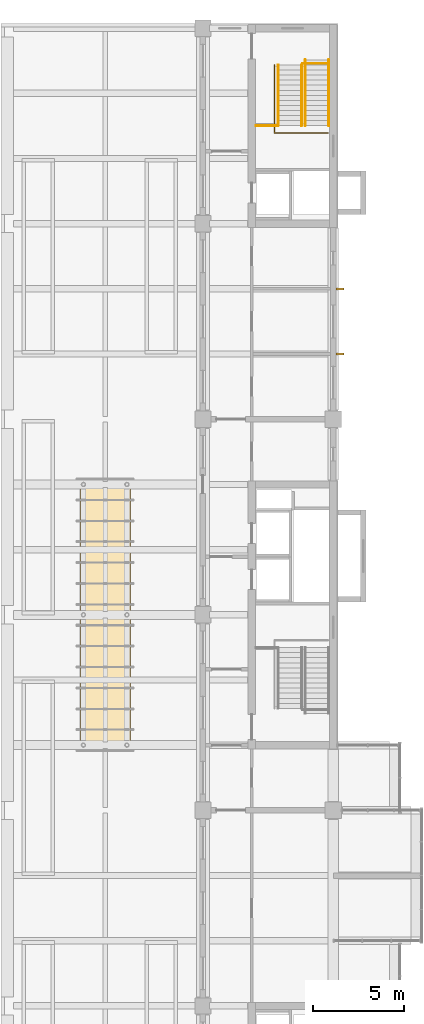
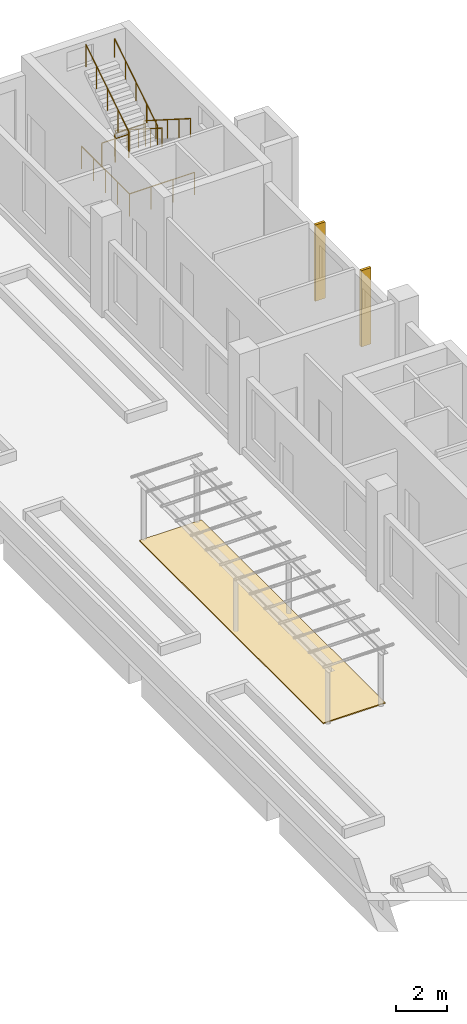
# One storey, part 32 of 32: 7 railings, 2 shading devices, 1 covering.
"""IFC4 building model written with IfcOpenShell, lengths in metres."""

from ifc_helpers import new_model, si_unit, direction, frame, origin, origin_2d, place, context, subcontext, project, spatial, polyline, rectangle, circle, outline, extrude, material, layer, layer_set, type_object, element, save


model = new_model("IFC4")

# Units and contexts
model_context = context("Model", 3, precision=1e-05, world=origin(), true_north=direction((0.0, 1.0)))
body_context = subcontext(model_context, "Body", "Model", "MODEL_VIEW")
ifc_project = project(units=[si_unit("LENGTHUNIT", "METRE"), si_unit("AREAUNIT", "SQUARE_METRE"), si_unit("VOLUMEUNIT", "CUBIC_METRE"), si_unit("PLANEANGLEUNIT", "RADIAN"), si_unit("MASSUNIT", "GRAM", prefix="KILO")], contexts=[model_context])

# Site, building, storey
site_placement = place(None, origin())
site = spatial("IfcSite", under=ifc_project, at=site_placement, CompositionType="ELEMENT")
building_placement = place(site_placement, origin())
building = spatial("IfcBuilding", under=site, at=building_placement, Name="Basin Gate Institute", CompositionType="ELEMENT")
storey_placement = place(building_placement, frame((0.0, 0.0, 41.39990234375)))
storey = spatial("IfcBuildingStorey", under=building, at=storey_placement, Name="L08", CompositionType="ELEMENT", Elevation=41.39990234375)

# Shading devices
ifc_material_1 = material(Name="Anodised aluminium", Category="aluminium")
shading_device_type = type_object("IfcShadingDeviceType", Name="Brise-soleil fin FN1", PredefinedType="USERDEFINED", material=ifc_material_1)
for number, where, z_axis, x_axis, name in (
    (1, (119.175048828125, 81.89990234375, 0.000244140625), (0.0, 0.0, 1.0), (1.0, 0.0, 0.0), "Brise-soleil fin FN1 E facade L08 line 14"),
    (2, (119.175048828125, 85.5, 0.000244140625), (0.0, 0.0, 1.0), (1.0, 0.0, 0.0), "Brise-soleil fin FN1 E facade L08 line 15"),
):
    element("IfcShadingDevice", number, at=place(storey_placement, frame(where, z_axis=z_axis, x_axis=x_axis)), inside=storey, type_object=shading_device_type, material=ifc_material_1, Name=name, ObjectType="FIN", PredefinedType="USERDEFINED", context=body_context, shape_type="SweptSolid", body=[
        extrude(rectangle(XDim=0.449951171875, YDim=0.1201171875, at=origin_2d()), origin(), (0.0, 0.0, 1.0), 3.64990234375),
    ])

# Covering
ifc_material_2 = material(Name="Concrete paving slabs", Category="concrete")
ifc_layer = layer(ifc_material_2, 0.050048828125)
ifc_layer_set = layer_set([ifc_layer], Name="Concrete paving slabs")
covering_type = type_object("IfcCoveringType", Name="Roof paving PV2", PredefinedType="FLOORING", material=ifc_layer_set)
covering_placement = place(storey_placement, origin())
element("IfcCovering", 3, at=covering_placement, inside=storey, type_object=covering_type, material=ifc_layer_set, Name="Roof paving E seating zone", PredefinedType="FLOORING", context=body_context, shape_type="SweptSolid", body=[
    extrude(outline(polyline([(104.800048828125, 60.300048828125), (107.60009765625, 60.300048828125), (107.60009765625, 74.699951171875), (104.800048828125, 74.699951171875), (104.800048828125, 60.300048828125)])), origin(), (0.0, 0.0, 1.0), 0.050048828125),
])

# Railings
ifc_material_3 = material(Name="Stainless steel", Category="steel")
railing_type_1 = type_object("IfcRailingType", Name="Stair guard GR1", PredefinedType="GUARDRAIL", material=ifc_material_3)
railing_1_placement = place(storey_placement, frame((115.550048828125, 97.8701171875, 0.0)))
element("IfcRailing", 4, at=railing_1_placement, inside=storey, type_object=railing_type_1, material=ifc_material_3, Name="Stair guard GR1 EN GD3-L07", PredefinedType="GUARDRAIL", context=body_context, shape_type="SweptSolid", body=[
    extrude(circle(Radius=0.02392578125, at=origin_2d()), frame((0.0, 0.0, 1.076171875), z_axis=(0.0, -1.0, 0.0), x_axis=(1.0, 0.0, 0.0)), (0.0, 0.0, 1.0), 3.760009765625),
    extrude(circle(Radius=0.02392578125, at=origin_2d()), frame((0.0, -3.760009765625, 1.076171875), z_axis=(1.0, 0.0, 0.0), x_axis=(0.0, 1.0, 0.0)), (0.0, 0.0, 1.0), 2.949951171875),
    extrude(circle(Radius=0.02099609375, at=origin_2d()), origin(), (0.0, 0.0, 1.0), 1.052001953125),
    extrude(circle(Radius=0.02099609375, at=origin_2d()), frame((0.0, -0.93994140625, 0.0)), (0.0, 0.0, 1.0), 1.052001953125),
    extrude(circle(Radius=0.02099609375, at=origin_2d()), frame((0.0, -1.8798828125, 0.0)), (0.0, 0.0, 1.0), 1.052001953125),
    extrude(circle(Radius=0.02099609375, at=origin_2d()), frame((0.0, -2.820068359375, 0.0)), (0.0, 0.0, 1.0), 1.052001953125),
    extrude(circle(Radius=0.02099609375, at=origin_2d()), frame((0.0, -3.760009765625, 0.0)), (0.0, 0.0, 1.0), 1.052001953125),
    extrude(circle(Radius=0.02099609375, at=origin_2d()), frame((0.9833984375, -3.760009765625, 0.0)), (0.0, 0.0, 1.0), 1.052001953125),
    extrude(circle(Radius=0.02099609375, at=origin_2d()), frame((1.966552734375, -3.760009765625, 0.0)), (0.0, 0.0, 1.0), 1.052001953125),
    extrude(circle(Radius=0.02099609375, at=origin_2d()), frame((2.949951171875, -3.760009765625, 0.0)), (0.0, 0.0, 1.0), 1.052001953125),
])
railing_2_placement = place(storey_placement, frame((118.5, 97.949951171875, 0.0)))
element("IfcRailing", 5, at=railing_2_placement, inside=storey, type_object=railing_type_1, material=ifc_material_3, Name="Stair guard GR1 EN GD4-L07", PredefinedType="GUARDRAIL", context=body_context, shape_type="SweptSolid", body=[
    extrude(circle(Radius=0.02392578125, at=origin_2d()), frame((0.0, 0.0, 1.076171875), z_axis=(-1.0, 0.0, 0.0), x_axis=(0.0, -1.0, 0.0)), (0.0, 0.0, 1.0), 1.39990234375),
    extrude(circle(Radius=0.02099609375, at=origin_2d()), origin(), (0.0, 0.0, 1.0), 1.052001953125),
    extrude(circle(Radius=0.02099609375, at=origin_2d()), frame((-0.699951171875, 0.0, 0.0)), (0.0, 0.0, 1.0), 1.052001953125),
    extrude(circle(Radius=0.02099609375, at=origin_2d()), frame((-1.39990234375, 0.0, 0.0)), (0.0, 0.0, 1.0), 1.052001953125),
])
railing_3_placement = place(storey_placement, frame((115.75, 94.510009765625, 2.666748046875)))
element("IfcRailing", 6, at=railing_3_placement, inside=storey, type_object=railing_type_1, material=ifc_material_3, Name="Stair guard GR1 EN GD1", PredefinedType="GUARDRAIL", context=body_context, shape_type="SweptSolid", body=[
    extrude(circle(Radius=0.02392578125, at=origin_2d()), frame((0.0, 0.0, 1.076171875), z_axis=(0.0, 0.844224270207, 0.535990094679), x_axis=(-1.0, 0.0, 0.0)), (0.0, 0.0, 1.0), 3.980224609375),
    extrude(circle(Radius=0.02099609375, at=origin_2d()), origin(), (0.0, 0.0, 1.0), 1.052001953125),
    extrude(circle(Radius=0.02099609375, at=origin_2d()), frame((0.0, 0.840087890625, 0.533203125)), (0.0, 0.0, 1.0), 1.052001953125),
    extrude(circle(Radius=0.02099609375, at=origin_2d()), frame((0.0, 1.68017578125, 1.066650390625)), (0.0, 0.0, 1.0), 1.052001953125),
    extrude(circle(Radius=0.02099609375, at=origin_2d()), frame((0.0, 2.52001953125, 1.60009765625)), (0.0, 0.0, 1.0), 1.052001953125),
    extrude(circle(Radius=0.02099609375, at=origin_2d()), frame((0.0, 3.360107421875, 2.13330078125)), (0.0, 0.0, 1.0), 1.052001953125),
])
ifc_material_4 = material(Name="Stainless steel", Category="steel")
railing_type_2 = type_object("IfcRailingType", Name="Stair guard GR3", PredefinedType="GUARDRAIL", material=ifc_material_4)
railing_4_placement = place(storey_placement, frame((115.75, 94.510009765625, 2.489013671875)))
element("IfcRailing", 7, at=railing_4_placement, inside=storey, type_object=railing_type_2, material=ifc_material_4, Name="Stair guard GR3 EN GD2", PredefinedType="GUARDRAIL", context=body_context, shape_type="SweptSolid", body=[
    extrude(circle(Radius=0.02392578125, at=origin_2d()), frame((0.0, 0.0, 1.1259765625), z_axis=(-1.0, 0.0, 0.0), x_axis=(0.0, -1.0, 0.0)), (0.0, 0.0, 1.0), 1.219970703125),
    extrude(circle(Radius=0.02099609375, at=origin_2d()), origin(), (0.0, 0.0, 1.0), 1.101806640625),
    extrude(circle(Radius=0.02099609375, at=origin_2d()), frame((-0.60986328125, 0.0, 0.0)), (0.0, 0.0, 1.0), 1.101806640625),
    extrude(circle(Radius=0.02099609375, at=origin_2d()), frame((-1.219970703125, 0.0, 0.0)), (0.0, 0.0, 1.0), 1.101806640625),
])
ifc_material_5 = material(Name="Stainless steel", Category="steel")
railing_type_3 = type_object("IfcRailingType", Name="Stair handrail HR1", PredefinedType="HANDRAIL", material=ifc_material_5)
for number, where, name in (
    (8, (118.550048828125, 98.14990234375, 0.177978515625), "Stair handrail HR1 EN HR1"),
    (9, (117.25, 98.14990234375, 0.177978515625), "Stair handrail HR1 EN HR2"),
):
    element("IfcRailing", number, at=place(storey_placement, frame(where)), inside=storey, type_object=railing_type_3, material=ifc_material_5, Name=name, PredefinedType="HANDRAIL", context=body_context, shape_type="SweptSolid", body=[
        extrude(circle(Radius=0.02392578125, at=origin_2d()), frame((0.0, 0.0, 0.89599609375), z_axis=(0.0, -0.84421362867, 0.536006855523), x_axis=(1.0, 0.0, 0.0)), (0.0, 0.0, 1.0), 4.3115234375),
        extrude(circle(Radius=0.02099609375, at=origin_2d()), origin(), (0.0, 0.0, 1.0), 0.871826171875),
        extrude(circle(Radius=0.02099609375, at=origin_2d()), frame((0.0, -0.909912109375, 0.57763671875)), (0.0, 0.0, 1.0), 0.871826171875),
        extrude(circle(Radius=0.02099609375, at=origin_2d()), frame((0.0, -1.81982421875, 1.155517578125)), (0.0, 0.0, 1.0), 0.871826171875),
        extrude(circle(Radius=0.02099609375, at=origin_2d()), frame((0.0, -2.72998046875, 1.7333984375)), (0.0, 0.0, 1.0), 0.871826171875),
        extrude(circle(Radius=0.02099609375, at=origin_2d()), frame((0.0, -3.639892578125, 2.31103515625)), (0.0, 0.0, 1.0), 0.871826171875),
    ])
railing_5_placement = place(storey_placement, frame((117.050048828125, 94.510009765625, 2.666748046875)))
element("IfcRailing", 10, at=railing_5_placement, inside=storey, type_object=railing_type_3, material=ifc_material_5, Name="Stair handrail HR1 EN HR3", PredefinedType="HANDRAIL", context=body_context, shape_type="SweptSolid", body=[
    extrude(circle(Radius=0.02392578125, at=origin_2d()), frame((0.0, 0.0, 0.89599609375), z_axis=(0.0, 0.844224270207, 0.535990094679), x_axis=(-1.0, 0.0, 0.0)), (0.0, 0.0, 1.0), 3.980224609375),
    extrude(circle(Radius=0.02099609375, at=origin_2d()), origin(), (0.0, 0.0, 1.0), 0.871826171875),
    extrude(circle(Radius=0.02099609375, at=origin_2d()), frame((0.0, 0.840087890625, 0.533203125)), (0.0, 0.0, 1.0), 0.871826171875),
    extrude(circle(Radius=0.02099609375, at=origin_2d()), frame((0.0, 1.68017578125, 1.066650390625)), (0.0, 0.0, 1.0), 0.871826171875),
    extrude(circle(Radius=0.02099609375, at=origin_2d()), frame((0.0, 2.52001953125, 1.60009765625)), (0.0, 0.0, 1.0), 0.871826171875),
    extrude(circle(Radius=0.02099609375, at=origin_2d()), frame((0.0, 3.360107421875, 2.13330078125)), (0.0, 0.0, 1.0), 0.871826171875),
])

save(model, "model.ifc")
